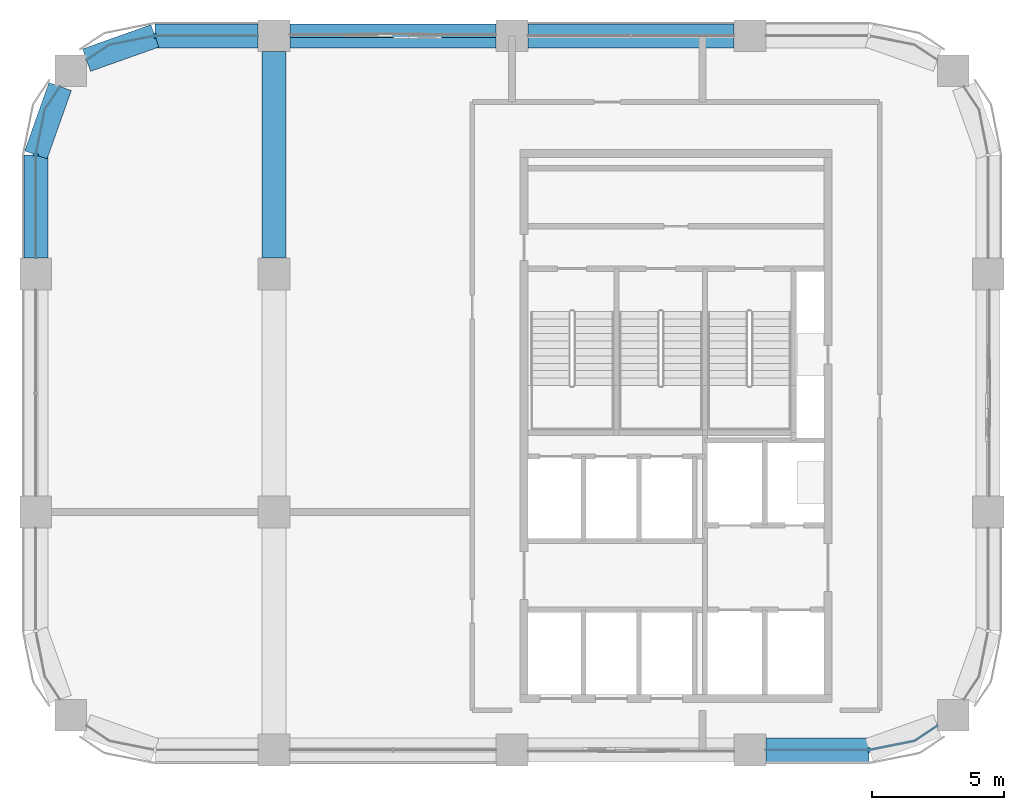
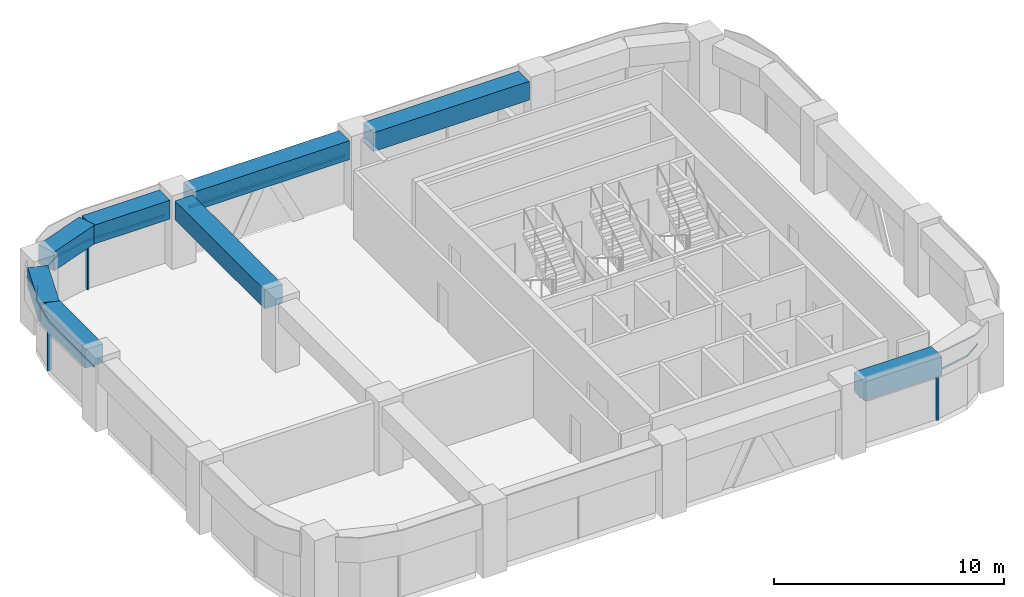
# One storey, part 3 of 9: 8 beams, 7 members, 4 elements without a shape of their own.
"""IFC4 building model written with IfcOpenShell, lengths in metres."""

import ifcopenshell
import ifcopenshell.guid

model = None  # the IFC model being written
_history = None  # IfcOwnerHistory: only IFC2X3 demands one
_inside = {}  # id of a spatial element -> (the spatial element, [elements in it])
_under = {}  # id of a project, library or spatial element -> (it, [spatial elements below it])
_declared = {}  # id of a project -> (the project, [libraries it declares])
_typed = {}  # id of a type object -> (the type object, [elements of that type])
_made_of = {}  # id of a material, layer set ... -> (it, [elements and type objects made of it])


def new_model(schema):
    """Start an empty IFC model of exactly this schema.

    Asked for "IFC4X3", IfcOpenShell would pick the latest addendum, in which some entities
    have other attributes; the version numbers below select the first issue.
    IFC2X3 requires an IfcOwnerHistory on every rooted entity: one is made here for all.
    """
    global model, _history
    if schema == "IFC4X3":
        model = ifcopenshell.file(schema_version=(4, 3, 0, 0))
    else:
        model = ifcopenshell.file(schema=schema)
    _inside.clear()
    _under.clear()
    _declared.clear()
    _typed.clear()
    _made_of.clear()
    _history = None
    if model.schema == "IFC2X3":
        org = make("IfcOrganization", Name="unknown")
        user = make(
            "IfcPersonAndOrganization",
            ThePerson=make("IfcPerson", FamilyName="unknown"),
            TheOrganization=org,
        )
        app = make(
            "IfcApplication",
            ApplicationDeveloper=org,
            Version="unknown",
            ApplicationFullName="unknown",
            ApplicationIdentifier="unknown",
        )
        _history = make(
            "IfcOwnerHistory",
            OwningUser=user,
            OwningApplication=app,
            ChangeAction="ADDED",
            CreationDate=0,
        )
    return model


def make(cls, **values):
    """One entity of the class cls with the attributes given. An attribute that is None is left unset."""
    return model.create_entity(
        cls, **{name: value for name, value in values.items() if value is not None}
    )


def rooted(cls, **values):
    """An entity with a GlobalId (a new one), such as an element, a storey or a relation."""
    return make(cls, GlobalId=ifcopenshell.guid.new(), OwnerHistory=_history, **values)


def si_unit(unit_type, name, prefix=None):
    """IfcSIUnit, for example si_unit("LENGTHUNIT", "METRE", prefix="MILLI")."""
    return make("IfcSIUnit", UnitType=unit_type, Prefix=prefix, Name=name)


def assignment(units):
    """IfcUnitAssignment: the units of a project."""
    return None if units is None else make("IfcUnitAssignment", Units=units)


def point(xyz):
    """IfcCartesianPoint."""
    return None if xyz is None else make("IfcCartesianPoint", Coordinates=xyz)


def direction(xyz):
    """IfcDirection."""
    return None if xyz is None else make("IfcDirection", DirectionRatios=xyz)


def frame(location, z_axis=None, x_axis=None):
    """IfcAxis2Placement3D, a coordinate frame: its origin and axes. An axis left out is left unset."""
    return make(
        "IfcAxis2Placement3D",
        Location=point(location),
        Axis=direction(z_axis),
        RefDirection=direction(x_axis),
    )


def frame_2d(location, x_axis=None):
    """IfcAxis2Placement2D, a coordinate frame in the plane: its origin and x axis."""
    return make(
        "IfcAxis2Placement2D", Location=point(location), RefDirection=direction(x_axis)
    )


def origin():
    """The frame at (0, 0, 0) with its axes left unset."""
    return frame((0.0, 0.0, 0.0))


def origin_2d():
    """The frame at (0, 0) in the plane with its x axis left unset."""
    return frame_2d((0.0, 0.0))


def place(relative_to, where):
    """IfcLocalPlacement: puts the frame where relative to a parent placement (None: the world)."""
    return make(
        "IfcLocalPlacement", PlacementRelTo=relative_to, RelativePlacement=where
    )


def context(
    kind, dimensions, precision=None, world=None, true_north=None, identifier=None
):
    """IfcGeometricRepresentationContext, for example the 3D "Model" context."""
    return make(
        "IfcGeometricRepresentationContext",
        ContextIdentifier=identifier,
        ContextType=kind,
        CoordinateSpaceDimension=dimensions,
        Precision=precision,
        WorldCoordinateSystem=world,
        TrueNorth=true_north,
    )


def subcontext(parent, identifier, kind, view, scale=None):
    """IfcGeometricRepresentationSubContext, for example "Body" below "Model"."""
    return make(
        "IfcGeometricRepresentationSubContext",
        ContextIdentifier=identifier,
        ContextType=kind,
        ParentContext=parent,
        TargetScale=scale,
        TargetView=view,
    )


def project(units=None, contexts=None):
    """IfcProject with its units and contexts."""
    return rooted(
        "IfcProject",
        Name="project",
        RepresentationContexts=contexts,
        UnitsInContext=assignment(units),
    )


def spatial(cls, under=None, at=None, **own):
    """A site, building, storey or space (cls), placed at a placement, below another one or the project."""
    s = rooted(cls, ObjectPlacement=at, **own)
    if under is not None:
        _under.setdefault(under.id(), (under, []))[1].append(s)
    return s


def polyline(points):
    """IfcPolyline through the points."""
    return make("IfcPolyline", Points=[point(p) for p in points])


def profile(cls, at=None, kind="AREA", **sizes):
    """A parametric profile (cls). Its sizes go by their IFC names, for example OverallWidth=200.0."""
    return make(cls, ProfileType=kind, Position=at, **sizes)


def rectangle(**sizes):
    """IfcRectangleProfileDef."""
    return profile("IfcRectangleProfileDef", **sizes)


def outline(outer, holes=None, kind="AREA"):
    """IfcArbitraryClosedProfileDef: a profile drawn as a closed curve; with holes, ...WithVoids."""
    if holes is None:
        return make("IfcArbitraryClosedProfileDef", ProfileType=kind, OuterCurve=outer)
    return make(
        "IfcArbitraryProfileDefWithVoids",
        ProfileType=kind,
        OuterCurve=outer,
        InnerCurves=holes,
    )


def extrude(swept, where, along, depth):
    """IfcExtrudedAreaSolid: the profile swept, set in the frame where, extruded along a direction by depth."""
    return make(
        "IfcExtrudedAreaSolid",
        SweptArea=swept,
        Position=where,
        ExtrudedDirection=direction(along),
        Depth=depth,
    )


def shape(context_of_items, identifier, shape_type, items):
    """IfcShapeRepresentation: the items that make up one representation, for example the "Body"."""
    return make(
        "IfcShapeRepresentation",
        ContextOfItems=context_of_items,
        RepresentationIdentifier=identifier,
        RepresentationType=shape_type,
        Items=items,
    )


def material(Name=None, Category=None):
    """IfcMaterial."""
    return make("IfcMaterial", Name=Name, Category=Category)


def material_profile(
    of_material, cross_section, Name=None, Category=None, Priority=None
):
    """IfcMaterialProfile: a cross section and its material."""
    return make(
        "IfcMaterialProfile",
        Name=Name,
        Material=of_material,
        Profile=cross_section,
        Priority=Priority,
        Category=Category,
    )


def profile_set(profiles, Name=None, composite=None):
    """IfcMaterialProfileSet."""
    return make(
        "IfcMaterialProfileSet",
        Name=Name,
        MaterialProfiles=profiles,
        CompositeProfile=composite,
    )


def made_of(thing, what):
    """Note that an element or type object is made of a material, layer set ...; save() writes the relation."""
    if what is not None:
        _made_of.setdefault(what.id(), (what, []))[1].append(thing)
    return thing


def type_object(cls, material=None, **own):
    """A type object (cls), such as IfcWallType, which elements share."""
    return made_of(rooted(cls, **own), material)


def element(
    cls,
    number,
    at=None,
    inside=None,
    cuts=None,
    type_object=None,
    material=None,
    context=None,
    identifier="Body",
    shape_type=None,
    held_by="IfcProductDefinitionShape",
    body=None,
    shapes=None,
    **own,
):
    """One element of the class cls, such as IfcWall. Its Tag is "e" and its number.

    at: its placement. inside: the storey or other place that contains it. cuts: it is an
    opening in that element (IfcRelVoidsElement). A single representation is given by context,
    identifier, shape_type and body (its items); several are given by shapes. held_by: the class
    of the entity that holds the representations. save() writes the other relations.
    """
    e = rooted(cls, Tag="e%d" % number, ObjectPlacement=at, **own)
    if body is not None:
        shapes = [shape(context, identifier, shape_type, body)]
    if shapes is not None:
        e.Representation = make(held_by, Representations=shapes)
    if inside is not None:
        _inside.setdefault(inside.id(), (inside, []))[1].append(e)
    if cuts is not None:
        rooted(
            "IfcRelVoidsElement", RelatingBuildingElement=cuts, RelatedOpeningElement=e
        )
    if type_object is not None:
        _typed.setdefault(type_object.id(), (type_object, []))[1].append(e)
    return made_of(e, material)


def aggregate(whole, parts):
    """IfcRelAggregates: a whole, such as a stair, and the parts it consists of."""
    return rooted("IfcRelAggregates", RelatingObject=whole, RelatedObjects=parts)


def save(model, path):
    """Write the relations noted so far, then the file.

    IfcRelAggregates (storeys below a building ...), IfcRelContainedInSpatialStructure (elements
    in a storey), IfcRelDefinesByType, IfcRelAssociatesMaterial and IfcRelDeclares: one each for
    every whole, place, type object, material and project.
    """
    for whole, parts in _under.values():
        aggregate(whole, parts)
    for where, things in _inside.values():
        rooted(
            "IfcRelContainedInSpatialStructure",
            RelatedElements=things,
            RelatingStructure=where,
        )
    for kind, things in _typed.values():
        rooted("IfcRelDefinesByType", RelatedObjects=things, RelatingType=kind)
    for what, things in _made_of.values():
        rooted("IfcRelAssociatesMaterial", RelatedObjects=things, RelatingMaterial=what)
    for by, libraries in _declared.values():
        rooted("IfcRelDeclares", RelatingContext=by, RelatedDefinitions=libraries)
    model.write(path)


model = new_model("IFC4")

# Units and contexts
model_context = context("Model", 3, precision=1e-05, world=origin(), true_north=direction((0.0, 1.0)))
body_context = subcontext(model_context, "Body", "Model", "MODEL_VIEW")
ifc_project = project(units=[si_unit("LENGTHUNIT", "METRE"), si_unit("AREAUNIT", "SQUARE_METRE"), si_unit("VOLUMEUNIT", "CUBIC_METRE"), si_unit("PLANEANGLEUNIT", "RADIAN"), si_unit("MASSUNIT", "GRAM", prefix="KILO")], contexts=[model_context])

# Site, building, storey
site_placement = place(None, origin())
site = spatial("IfcSite", under=ifc_project, at=site_placement, CompositionType="ELEMENT")
building_placement = place(site_placement, origin())
building = spatial("IfcBuilding", under=site, at=building_placement, Name="Tessera Arch", CompositionType="ELEMENT")
storey_placement = place(building_placement, frame((0.0, 0.0, 305.10009765625)))
storey = spatial("IfcBuildingStorey", under=building, at=storey_placement, Name="L73", CompositionType="ELEMENT", Elevation=305.10009765625)

# Curtain wall, member
ifc_material_1 = material(Name="CW2 curtain wall")
curtain_wall_type_1 = type_object("IfcCurtainWallType", Name="CW2 curtain wall", PredefinedType="NOTDEFINED", material=ifc_material_1)
curtain_wall_1_placement = place(storey_placement, origin())
curtain_wall_1 = element("IfcCurtainWall", 1, at=curtain_wall_1_placement, inside=storey, type_object=curtain_wall_type_1, Name="CW2 curtain wall N54.18/3 L73", PredefinedType="NOTDEFINED")
ifc_material_2 = material(Name="Anodised aluminium pale metal", Category="aluminium")
ifc_material_profile_1 = material_profile(ifc_material_2, rectangle(XDim=0.199951171875, YDim=0.080078125, at=origin_2d()), Name="AL 80x200")
ifc_profile_set_1 = profile_set([ifc_material_profile_1], Name="Anodised aluminium pale metal")
member_type_1 = type_object("IfcMemberType", Name="CW2 mullion", PredefinedType="MULLION", material=ifc_profile_set_1)
member_1_placement = place(storey_placement, frame((22.5, 54.0, 0.0), z_axis=(0.0, 0.0, 1.0), x_axis=(0.0, -1.0, 0.0)))
member_1 = element("IfcMember", 2, at=member_1_placement, type_object=member_type_1, Name="CW2 mullion N54.18/3 1", PredefinedType="MULLION", context=body_context, shape_type="SweptSolid", body=[
    extrude(rectangle(XDim=0.199951171875, YDim=0.080078125, at=origin_2d()), origin(), (0.0, 0.0, 1.0), 2.5),
])

curtain_wall_2_placement = place(storey_placement, origin())
curtain_wall_2 = element("IfcCurtainWall", 3, at=curtain_wall_2_placement, inside=storey, type_object=curtain_wall_type_1, Name="CW2 curtain wall W18.27/0 L73", PredefinedType="NOTDEFINED")
member_2_placement = place(storey_placement, frame((18.0, 49.5, 0.0), z_axis=(0.0, 0.0, 1.0), x_axis=(1.0, 0.0, 0.0)))
member_2 = element("IfcMember", 4, at=member_2_placement, type_object=member_type_1, Name="CW2 mullion W18.27/0 1", PredefinedType="MULLION", context=body_context, shape_type="SweptSolid", body=[
    extrude(rectangle(XDim=0.199951171875, YDim=0.080078125, at=origin_2d()), origin(), (0.0, 0.0, 1.0), 2.5),
])

curtain_wall_3_placement = place(storey_placement, origin())
curtain_wall_3 = element("IfcCurtainWall", 5, at=curtain_wall_3_placement, inside=storey, type_object=curtain_wall_type_1, Name="CW2 curtain wall S27.18/3 L73", PredefinedType="NOTDEFINED")
member_3_placement = place(storey_placement, frame((49.5, 27.0, 0.0), z_axis=(0.0, 0.0, 1.0), x_axis=(0.0, 1.0, 0.0)))
member_3 = element("IfcMember", 6, at=member_3_placement, type_object=member_type_1, Name="CW2 mullion S27.18/3 1", PredefinedType="MULLION", context=body_context, shape_type="SweptSolid", body=[
    extrude(rectangle(XDim=0.199951171875, YDim=0.080078125, at=origin_2d()), origin(), (0.0, 0.0, 1.0), 2.5),
])

# Member
ifc_material_3 = material(Name="Anodised aluminium pale metal", Category="aluminium")
ifc_material_profile_2 = material_profile(ifc_material_3, rectangle(XDim=0.199951171875, YDim=0.10009765625, at=origin_2d()), Name="AL 200x100")
ifc_profile_set_2 = profile_set([ifc_material_profile_2], Name="Anodised aluminium pale metal")
member_type_2 = type_object("IfcMemberType", Name="CW2 transom", PredefinedType="USERDEFINED", material=ifc_profile_set_2)
member_4_placement = place(storey_placement, frame((0.0, 0.0, 2.5)))
member_4 = element("IfcMember", 7, at=member_4_placement, type_object=member_type_2, Name="CW2 transom N54.18/3 1", ObjectType="TRANSOM", PredefinedType="USERDEFINED", context=body_context, shape_type="SweptSolid", body=[
    extrude(outline(polyline([(22.5009765625, 53.989990234375), (26.39990234375, 53.989990234375), (26.39990234375, 54.010009765625), (22.4990234375, 54.010009765625), (20.77392578125, 53.6669921875), (19.912353515625, 53.09130859375), (19.923583984375, 53.07470703125), (20.78173828125, 53.648193359375), (22.5009765625, 53.989990234375)])), origin(), (0.0, 0.0, 1.0), 0.099853515625),
])

aggregate(curtain_wall_1, [member_1, member_4])

member_5_placement = place(storey_placement, frame((0.0, 0.0, 2.5)))
member_5 = element("IfcMember", 8, at=member_5_placement, type_object=member_type_2, Name="CW2 transom W18.27/0 1", ObjectType="TRANSOM", PredefinedType="USERDEFINED", context=body_context, shape_type="SweptSolid", body=[
    extrude(outline(polyline([(18.351806640625, 51.21826171875), (18.92529296875, 52.076416015625), (18.90869140625, 52.087646484375), (18.3330078125, 51.22607421875), (17.989990234375, 49.5009765625), (17.989990234375, 45.60009765625), (18.010009765625, 45.60009765625), (18.010009765625, 49.4990234375), (18.351806640625, 51.21826171875)])), origin(), (0.0, 0.0, 1.0), 0.099853515625),
])

aggregate(curtain_wall_2, [member_2, member_5])

member_6_placement = place(storey_placement, frame((0.0, 0.0, 2.5)))
member_6 = element("IfcMember", 9, at=member_6_placement, type_object=member_type_2, Name="CW2 transom S27.18/3 1", ObjectType="TRANSOM", PredefinedType="USERDEFINED", context=body_context, shape_type="SweptSolid", body=[
    extrude(outline(polyline([(49.4990234375, 27.010009765625), (45.60009765625, 27.010009765625), (45.60009765625, 26.989990234375), (49.5009765625, 26.989990234375), (51.22607421875, 27.3330078125), (52.087646484375, 27.90869140625), (52.076416015625, 27.92529296875), (51.21826171875, 27.351806640625), (49.4990234375, 27.010009765625)])), origin(), (0.0, 0.0, 1.0), 0.099853515625),
])

aggregate(curtain_wall_3, [member_3, member_6])

# Curtain wall, member
ifc_material_4 = material(Name="CW3 curtain wall")
curtain_wall_type_2 = type_object("IfcCurtainWallType", Name="CW3 curtain wall", PredefinedType="NOTDEFINED", material=ifc_material_4)
curtain_wall_4_placement = place(storey_placement, origin())
curtain_wall_4 = element("IfcCurtainWall", 10, at=curtain_wall_4_placement, inside=storey, type_object=curtain_wall_type_2, Name="CW3 curtain wall N54.18/2 L73", PredefinedType="NOTDEFINED")
ifc_material_5 = material(Name="Anodised aluminium pale metal", Category="aluminium")
ifc_material_profile_3 = material_profile(ifc_material_5, rectangle(XDim=0.139892578125, YDim=0.10009765625, at=origin_2d()), Name="AL 140x100")
ifc_profile_set_3 = profile_set([ifc_material_profile_3], Name="Anodised aluminium pale metal")
member_type_3 = type_object("IfcMemberType", Name="CW3 transom", PredefinedType="USERDEFINED", material=ifc_profile_set_3)
member_7_placement = place(storey_placement, frame((35.39990234375, 54.0, 2.5498046875), z_axis=(-1.0, 0.0, 0.0), x_axis=(0.0, -1.0, 0.0)))
member_7 = element("IfcMember", 11, at=member_7_placement, type_object=member_type_3, Name="CW3 transom N54.18/2 1.1", ObjectType="TRANSOM", PredefinedType="USERDEFINED", context=body_context, shape_type="SweptSolid", body=[
    extrude(rectangle(XDim=0.139892578125, YDim=0.10009765625, at=origin_2d()), origin(), (0.0, 0.0, 1.0), 7.7998046875),
])
aggregate(curtain_wall_4, [member_7])

# Beams
ifc_material_6 = material(Name="Concrete C60/75", Category="concrete")
ifc_material_profile_4 = material_profile(ifc_material_6, rectangle(XDim=0.89990234375, YDim=1.0, at=origin_2d()), Name="RC spandrel beam 900 x 1000 Concrete C60/75")
ifc_profile_set_4 = profile_set([ifc_material_profile_4], Name="Concrete C60/75")
beam_type = type_object("IfcBeamType", Name="RC spandrel beam 900 x 1000 Concrete C60/75", PredefinedType="BEAM", material=ifc_profile_set_4)
for number, where, z_axis, x_axis, name in (
    (12, (44.39990234375, 54.0, 3.099853515625), (-1.0, 0.0, 0.0), (0.0, -1.0, 0.0), "Spandrel beam L73 N54.18/1"),
    (13, (35.39990234375, 54.0, 3.099853515625), (-1.0, 0.0, 0.0), (0.0, -1.0, 0.0), "Spandrel beam L73 N54.18/2"),
):
    element("IfcBeam", number, at=place(storey_placement, frame(where, z_axis=z_axis, x_axis=x_axis)), inside=storey, type_object=beam_type, Name=name, PredefinedType="BEAM", context=body_context, shape_type="SweptSolid", body=[
        extrude(rectangle(XDim=0.89990234375, YDim=1.0, at=origin_2d()), origin(), (0.0, 0.0, 1.0), 7.7998046875),
    ])
beam_1_placement = place(storey_placement, frame((26.39990234375, 54.0, 3.099853515625), z_axis=(-1.0, 0.0, 0.0), x_axis=(0.0, -1.0, 0.0)))
element("IfcBeam", 14, at=beam_1_placement, inside=storey, type_object=beam_type, Name="Spandrel beam L73 N54.18/3.1", PredefinedType="BEAM", context=body_context, shape_type="SweptSolid", body=[
    extrude(rectangle(XDim=0.89990234375, YDim=1.0, at=origin_2d()), origin(), (0.0, 0.0, 1.0), 3.89990234375),
])
for number, where, z_axis, x_axis, name in (
    (15, (22.5, 54.0, 3.099853515625), (-0.942337127159, -0.334665114373, 0.0), (0.334665114373, -0.942337127159, 0.0), "Spandrel beam L73 N54.18/3.2"),
    (16, (18.9169921875, 52.08203125, 3.099853515625), (-0.334665114373, -0.942337127159, 0.0), (0.942337127159, -0.334665114373, 0.0), "Spandrel beam L73 W18.27/0.1"),
):
    element("IfcBeam", number, at=place(storey_placement, frame(where, z_axis=z_axis, x_axis=x_axis)), inside=storey, type_object=beam_type, Name=name, PredefinedType="BEAM", context=body_context, shape_type="SweptSolid", body=[
        extrude(rectangle(XDim=0.89990234375, YDim=1.0, at=origin_2d()), origin(), (0.0, 0.0, 1.0), 2.739990234375),
    ])
for number, where, z_axis, x_axis, name in (
    (17, (18.0, 49.5, 3.099853515625), (0.0, -1.0, 0.0), (1.0, 0.0, 0.0), "Spandrel beam L73 W18.27/0.2"),
    (18, (45.60009765625, 27.0, 3.099853515625), (1.0, 0.0, 0.0), (0.0, 1.0, 0.0), "Spandrel beam L73 S27.18/3.1"),
):
    element("IfcBeam", number, at=place(storey_placement, frame(where, z_axis=z_axis, x_axis=x_axis)), inside=storey, type_object=beam_type, Name=name, PredefinedType="BEAM", context=body_context, shape_type="SweptSolid", body=[
        extrude(rectangle(XDim=0.89990234375, YDim=1.0, at=origin_2d()), origin(), (0.0, 0.0, 1.0), 3.89990234375),
    ])
beam_2_placement = place(storey_placement, frame((27.0, 45.60009765625, 3.099853515625), z_axis=(0.0, 1.0, 0.0), x_axis=(-1.0, 0.0, 0.0)))
element("IfcBeam", 19, at=beam_2_placement, inside=storey, type_object=beam_type, Name="Interface beam L73 I0C4F-C4G", PredefinedType="BEAM", context=body_context, shape_type="SweptSolid", body=[
    extrude(rectangle(XDim=0.89990234375, YDim=1.0, at=origin_2d()), origin(), (0.0, 0.0, 1.0), 7.7998046875),
])

save(model, "model.ifc")
